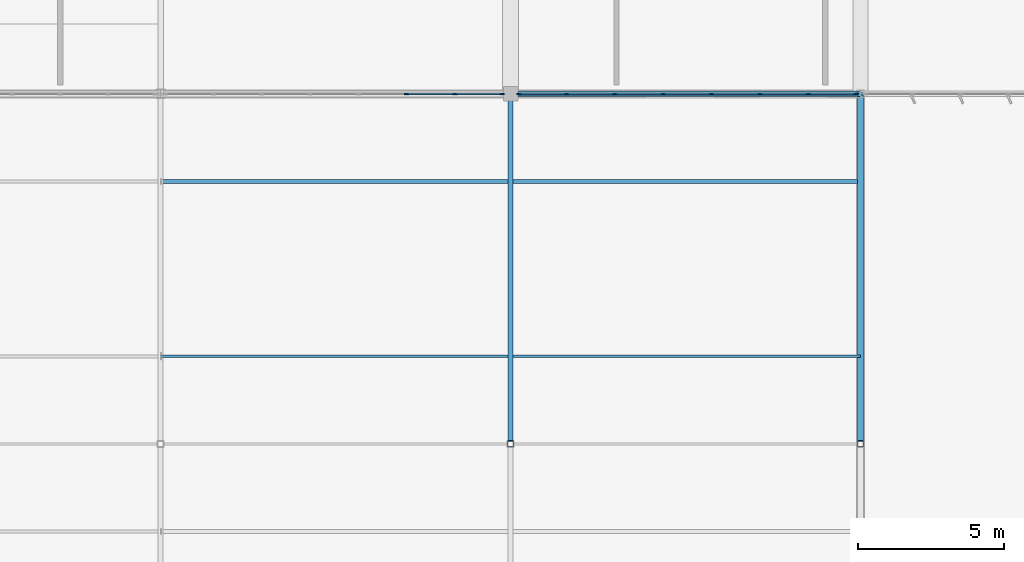
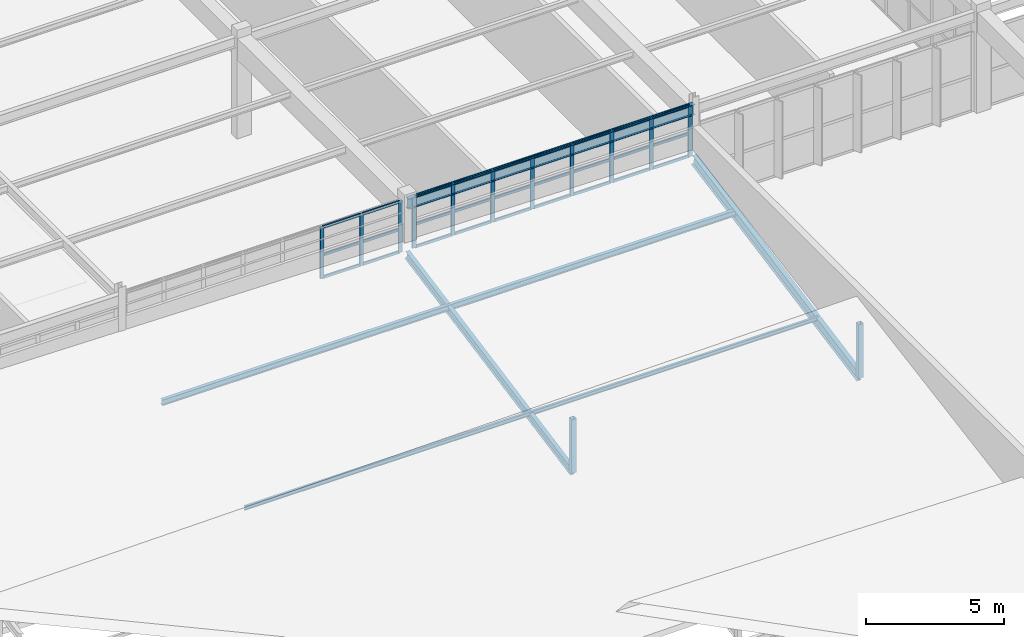
# One storey, part 74 of 226: 44 members, 1 beam, 2 elements without a shape of their own.
"""IFC4 building model written with IfcOpenShell, lengths in metres."""

from ifc_helpers import new_model, si_unit, direction, frame, origin, origin_2d, place, context, subcontext, project, spatial, rectangle, hollow_rectangle, i_section, extrude, material, layer, layer_set, material_profile, profile_set, type_object, element, aggregate, save


model = new_model("IFC4")

# Units and contexts
model_context = context("Model", 3, precision=1e-05, world=origin(), true_north=direction((0.0, 1.0)))
body_context = subcontext(model_context, "Body", "Model", "MODEL_VIEW")
ifc_project = project(units=[si_unit("LENGTHUNIT", "METRE"), si_unit("AREAUNIT", "SQUARE_METRE"), si_unit("VOLUMEUNIT", "CUBIC_METRE"), si_unit("PLANEANGLEUNIT", "RADIAN"), si_unit("MASSUNIT", "GRAM", prefix="KILO")], contexts=[model_context])

# Site, building, storey
site_placement = place(None, origin())
site = spatial("IfcSite", under=ifc_project, at=site_placement, CompositionType="ELEMENT")
building_placement = place(site_placement, origin())
building = spatial("IfcBuilding", under=site, at=building_placement, Name="Tarnwether General Hospital", CompositionType="ELEMENT")
storey_placement = place(building_placement, frame((0.0, 0.0, 4.800048828125)))
storey = spatial("IfcBuildingStorey", under=building, at=storey_placement, Name="L01", CompositionType="ELEMENT", Elevation=4.800048828125)

# Beam
ifc_material_1 = material(Name="Steel Grade 350 (350 MPa)", Category="steel")
ifc_material_profile_1 = material_profile(ifc_material_1, i_section(OverallWidth=0.19091796875, OverallDepth=0.4599609375, WebThickness=0.010009765625, FlangeThickness=0.01611328125, at=origin_2d()), Name="460UB82.1")
ifc_profile_set_1 = profile_set([ifc_material_profile_1], Name="Steel Grade 350 (350 MPa)")
beam_type = type_object("IfcBeamType", Name="BM-G08", PredefinedType="BEAM", material=ifc_profile_set_1)
beam_placement = place(storey_placement, frame((36.0, 45.60009765625, 4.2099609375), z_axis=(1.0, 0.0, 0.0), x_axis=(0.0, 1.0, 0.0)))
element("IfcBeam", 1, at=beam_placement, inside=storey, type_object=beam_type, Name="Primary Girder BMG-L01-3600_4560-4800_4560-1090", PredefinedType="BEAM", context=body_context, shape_type="SweptSolid", body=[
    extrude(i_section(OverallWidth=0.19091796875, OverallDepth=0.4599609375, WebThickness=0.010009765625, FlangeThickness=0.01611328125, at=origin_2d()), origin(), (0.0, 0.0, 1.0), 12.0),
])

# Curtain wall, members
ifc_material_2 = material(Name="Anodised aluminium", Category="aluminium")
ifc_layer = layer(ifc_material_2, 0.159912109375)
ifc_layer_set = layer_set([ifc_layer], Name="Anodised aluminium")
curtain_wall_type = type_object("IfcCurtainWallType", Name="CW-24", PredefinedType="NOTDEFINED", material=ifc_layer_set)
curtain_wall_1_placement = place(storey_placement, origin())
curtain_wall_1 = element("IfcCurtainWall", 2, at=curtain_wall_1_placement, inside=storey, type_object=curtain_wall_type, Name="Curtain Wall CWG-L01-479_456-0348", PredefinedType="NOTDEFINED")
ifc_material_3 = material(Name="Anodised aluminium", Category="aluminium")
ifc_material_profile_2 = material_profile(ifc_material_3, rectangle(XDim=0.06005859375, YDim=0.159912109375, at=origin_2d()), Name="ALU-MUL-60x160")
ifc_profile_set_2 = profile_set([ifc_material_profile_2], Name="Anodised aluminium")
member_type_1 = type_object("IfcMemberType", Name="CW-ML1", PredefinedType="MULLION", material=ifc_profile_set_2)
member_1_placement = place(storey_placement, frame((47.833984375, 45.60009765625, 2.14990234375), z_axis=(0.0, 0.0, 1.0), x_axis=(0.0, -1.0, 0.0)))
member_1 = element("IfcMember", 3, at=member_1_placement, type_object=member_type_1, Name="CW-24 mullion 1", PredefinedType="MULLION", context=body_context, shape_type="SweptSolid", body=[
    extrude(rectangle(XDim=0.06005859375, YDim=0.159912109375, at=origin_2d()), origin(), (0.0, 0.0, 1.0), 2.280029296875),
])
member_2_placement = place(storey_placement, frame((46.2060546875, 45.60009765625, 2.14990234375), z_axis=(0.0, 0.0, 1.0), x_axis=(0.0, -1.0, 0.0)))
member_2 = element("IfcMember", 4, at=member_2_placement, type_object=member_type_1, Name="CW-24 mullion 2", PredefinedType="MULLION", context=body_context, shape_type="SweptSolid", body=[
    extrude(rectangle(XDim=0.06005859375, YDim=0.159912109375, at=origin_2d()), origin(), (0.0, 0.0, 1.0), 2.280029296875),
])
member_3_placement = place(storey_placement, frame((44.548095703125, 45.60009765625, 2.14990234375), z_axis=(0.0, 0.0, 1.0), x_axis=(0.0, -1.0, 0.0)))
member_3 = element("IfcMember", 5, at=member_3_placement, type_object=member_type_1, Name="CW-24 mullion 3", PredefinedType="MULLION", context=body_context, shape_type="SweptSolid", body=[
    extrude(rectangle(XDim=0.06005859375, YDim=0.159912109375, at=origin_2d()), origin(), (0.0, 0.0, 1.0), 2.280029296875),
])
member_4_placement = place(storey_placement, frame((42.889892578125, 45.60009765625, 2.14990234375), z_axis=(0.0, 0.0, 1.0), x_axis=(0.0, -1.0, 0.0)))
member_4 = element("IfcMember", 6, at=member_4_placement, type_object=member_type_1, Name="CW-24 mullion 4", PredefinedType="MULLION", context=body_context, shape_type="SweptSolid", body=[
    extrude(rectangle(XDim=0.06005859375, YDim=0.159912109375, at=origin_2d()), origin(), (0.0, 0.0, 1.0), 2.280029296875),
])
member_5_placement = place(storey_placement, frame((41.23193359375, 45.60009765625, 2.14990234375), z_axis=(0.0, 0.0, 1.0), x_axis=(0.0, -1.0, 0.0)))
member_5 = element("IfcMember", 7, at=member_5_placement, type_object=member_type_1, Name="CW-24 mullion 5", PredefinedType="MULLION", context=body_context, shape_type="SweptSolid", body=[
    extrude(rectangle(XDim=0.06005859375, YDim=0.159912109375, at=origin_2d()), origin(), (0.0, 0.0, 1.0), 2.280029296875),
])
member_6_placement = place(storey_placement, frame((39.573974609375, 45.60009765625, 2.14990234375), z_axis=(0.0, 0.0, 1.0), x_axis=(0.0, -1.0, 0.0)))
member_6 = element("IfcMember", 8, at=member_6_placement, type_object=member_type_1, Name="CW-24 mullion 6", PredefinedType="MULLION", context=body_context, shape_type="SweptSolid", body=[
    extrude(rectangle(XDim=0.06005859375, YDim=0.159912109375, at=origin_2d()), origin(), (0.0, 0.0, 1.0), 2.280029296875),
])
member_7_placement = place(storey_placement, frame((37.916015625, 45.60009765625, 2.14990234375), z_axis=(0.0, 0.0, 1.0), x_axis=(0.0, -1.0, 0.0)))
member_7 = element("IfcMember", 9, at=member_7_placement, type_object=member_type_1, Name="CW-24 mullion 7", PredefinedType="MULLION", context=body_context, shape_type="SweptSolid", body=[
    extrude(rectangle(XDim=0.06005859375, YDim=0.159912109375, at=origin_2d()), origin(), (0.0, 0.0, 1.0), 2.280029296875),
])
member_8_placement = place(storey_placement, frame((36.2880859375, 45.60009765625, 2.14990234375), z_axis=(0.0, 0.0, 1.0), x_axis=(0.0, -1.0, 0.0)))
member_8 = element("IfcMember", 10, at=member_8_placement, type_object=member_type_1, Name="CW-24 mullion 8", PredefinedType="MULLION", context=body_context, shape_type="SweptSolid", body=[
    extrude(rectangle(XDim=0.06005859375, YDim=0.159912109375, at=origin_2d()), origin(), (0.0, 0.0, 1.0), 2.280029296875),
])

curtain_wall_2_placement = place(storey_placement, origin())
curtain_wall_2 = element("IfcCurtainWall", 11, at=curtain_wall_2_placement, inside=storey, type_object=curtain_wall_type, Name="Curtain Wall CWG-L01-357_456-0349", PredefinedType="NOTDEFINED")
member_9_placement = place(storey_placement, frame((35.7119140625, 45.60009765625, 2.14990234375), z_axis=(0.0, 0.0, 1.0), x_axis=(0.0, -1.0, 0.0)))
member_9 = element("IfcMember", 12, at=member_9_placement, type_object=member_type_1, Name="CW-24 mullion 1", PredefinedType="MULLION", context=body_context, shape_type="SweptSolid", body=[
    extrude(rectangle(XDim=0.06005859375, YDim=0.159912109375, at=origin_2d()), origin(), (0.0, 0.0, 1.0), 2.280029296875),
])
member_10_placement = place(storey_placement, frame((34.08740234375, 45.60009765625, 2.14990234375), z_axis=(0.0, 0.0, 1.0), x_axis=(0.0, -1.0, 0.0)))
member_10 = element("IfcMember", 13, at=member_10_placement, type_object=member_type_1, Name="CW-24 mullion 2", PredefinedType="MULLION", context=body_context, shape_type="SweptSolid", body=[
    extrude(rectangle(XDim=0.06005859375, YDim=0.159912109375, at=origin_2d()), origin(), (0.0, 0.0, 1.0), 2.280029296875),
])
member_11_placement = place(storey_placement, frame((32.432861328125, 45.60009765625, 2.14990234375), z_axis=(0.0, 0.0, 1.0), x_axis=(0.0, -1.0, 0.0)))
member_11 = element("IfcMember", 14, at=member_11_placement, type_object=member_type_1, Name="CW-24 mullion 3", PredefinedType="MULLION", context=body_context, shape_type="SweptSolid", body=[
    extrude(rectangle(XDim=0.06005859375, YDim=0.159912109375, at=origin_2d()), origin(), (0.0, 0.0, 1.0), 2.280029296875),
])

# Member
ifc_material_4 = material(Name="Anodised aluminium", Category="aluminium")
ifc_material_profile_3 = material_profile(ifc_material_4, rectangle(XDim=0.06005859375, YDim=0.1201171875, at=origin_2d()), Name="ALU-TRN-60x120")
ifc_profile_set_3 = profile_set([ifc_material_profile_3], Name="Anodised aluminium")
member_type_2 = type_object("IfcMemberType", Name="CW-TR1", PredefinedType="USERDEFINED", material=ifc_profile_set_3)
member_12_placement = place(storey_placement, frame((47.803955078125, 45.60009765625, 2.179931640625), z_axis=(-1.0, 0.0, 0.0), x_axis=(0.0, -1.0, 0.0)))
member_12 = element("IfcMember", 15, at=member_12_placement, type_object=member_type_2, Name="CW-24 transom 1.1", ObjectType="TRANSOM", PredefinedType="USERDEFINED", context=body_context, shape_type="SweptSolid", body=[
    extrude(rectangle(XDim=0.06005859375, YDim=0.1201171875, at=origin_2d()), origin(), (0.0, 0.0, 1.0), 1.56787109375),
])

member_13_placement = place(storey_placement, frame((47.803955078125, 45.60009765625, 3.176025390625), z_axis=(-1.0, 0.0, 0.0), x_axis=(0.0, -1.0, 0.0)))
member_13 = element("IfcMember", 16, at=member_13_placement, type_object=member_type_2, Name="CW-24 transom 1.2", ObjectType="TRANSOM", PredefinedType="USERDEFINED", context=body_context, shape_type="SweptSolid", body=[
    extrude(rectangle(XDim=0.06005859375, YDim=0.1201171875, at=origin_2d()), origin(), (0.0, 0.0, 1.0), 1.56787109375),
])

member_14_placement = place(storey_placement, frame((47.803955078125, 45.60009765625, 4.39990234375), z_axis=(-1.0, 0.0, 0.0), x_axis=(0.0, -1.0, 0.0)))
member_14 = element("IfcMember", 17, at=member_14_placement, type_object=member_type_2, Name="CW-24 transom 1.3", ObjectType="TRANSOM", PredefinedType="USERDEFINED", context=body_context, shape_type="SweptSolid", body=[
    extrude(rectangle(XDim=0.06005859375, YDim=0.1201171875, at=origin_2d()), origin(), (0.0, 0.0, 1.0), 1.56787109375),
])

member_15_placement = place(storey_placement, frame((46.176025390625, 45.60009765625, 2.179931640625), z_axis=(-1.0, 0.0, 0.0), x_axis=(0.0, -1.0, 0.0)))
member_15 = element("IfcMember", 18, at=member_15_placement, type_object=member_type_2, Name="CW-24 transom 2.1", ObjectType="TRANSOM", PredefinedType="USERDEFINED", context=body_context, shape_type="SweptSolid", body=[
    extrude(rectangle(XDim=0.06005859375, YDim=0.1201171875, at=origin_2d()), origin(), (0.0, 0.0, 1.0), 1.59814453125),
])

member_16_placement = place(storey_placement, frame((46.176025390625, 45.60009765625, 3.176025390625), z_axis=(-1.0, 0.0, 0.0), x_axis=(0.0, -1.0, 0.0)))
member_16 = element("IfcMember", 19, at=member_16_placement, type_object=member_type_2, Name="CW-24 transom 2.2", ObjectType="TRANSOM", PredefinedType="USERDEFINED", context=body_context, shape_type="SweptSolid", body=[
    extrude(rectangle(XDim=0.06005859375, YDim=0.1201171875, at=origin_2d()), origin(), (0.0, 0.0, 1.0), 1.59814453125),
])

member_17_placement = place(storey_placement, frame((46.176025390625, 45.60009765625, 4.39990234375), z_axis=(-1.0, 0.0, 0.0), x_axis=(0.0, -1.0, 0.0)))
member_17 = element("IfcMember", 20, at=member_17_placement, type_object=member_type_2, Name="CW-24 transom 2.3", ObjectType="TRANSOM", PredefinedType="USERDEFINED", context=body_context, shape_type="SweptSolid", body=[
    extrude(rectangle(XDim=0.06005859375, YDim=0.1201171875, at=origin_2d()), origin(), (0.0, 0.0, 1.0), 1.59814453125),
])

member_18_placement = place(storey_placement, frame((44.51806640625, 45.60009765625, 2.179931640625), z_axis=(-1.0, 0.0, 0.0), x_axis=(0.0, -1.0, 0.0)))
member_18 = element("IfcMember", 21, at=member_18_placement, type_object=member_type_2, Name="CW-24 transom 3.1", ObjectType="TRANSOM", PredefinedType="USERDEFINED", context=body_context, shape_type="SweptSolid", body=[
    extrude(rectangle(XDim=0.06005859375, YDim=0.1201171875, at=origin_2d()), origin(), (0.0, 0.0, 1.0), 1.59814453125),
])

member_19_placement = place(storey_placement, frame((44.51806640625, 45.60009765625, 3.176025390625), z_axis=(-1.0, 0.0, 0.0), x_axis=(0.0, -1.0, 0.0)))
member_19 = element("IfcMember", 22, at=member_19_placement, type_object=member_type_2, Name="CW-24 transom 3.2", ObjectType="TRANSOM", PredefinedType="USERDEFINED", context=body_context, shape_type="SweptSolid", body=[
    extrude(rectangle(XDim=0.06005859375, YDim=0.1201171875, at=origin_2d()), origin(), (0.0, 0.0, 1.0), 1.59814453125),
])

member_20_placement = place(storey_placement, frame((44.51806640625, 45.60009765625, 4.39990234375), z_axis=(-1.0, 0.0, 0.0), x_axis=(0.0, -1.0, 0.0)))
member_20 = element("IfcMember", 23, at=member_20_placement, type_object=member_type_2, Name="CW-24 transom 3.3", ObjectType="TRANSOM", PredefinedType="USERDEFINED", context=body_context, shape_type="SweptSolid", body=[
    extrude(rectangle(XDim=0.06005859375, YDim=0.1201171875, at=origin_2d()), origin(), (0.0, 0.0, 1.0), 1.59814453125),
])

member_21_placement = place(storey_placement, frame((42.860107421875, 45.60009765625, 2.179931640625), z_axis=(-1.0, 0.0, 0.0), x_axis=(0.0, -1.0, 0.0)))
member_21 = element("IfcMember", 24, at=member_21_placement, type_object=member_type_2, Name="CW-24 transom 4.1", ObjectType="TRANSOM", PredefinedType="USERDEFINED", context=body_context, shape_type="SweptSolid", body=[
    extrude(rectangle(XDim=0.06005859375, YDim=0.1201171875, at=origin_2d()), origin(), (0.0, 0.0, 1.0), 1.59814453125),
])

member_22_placement = place(storey_placement, frame((42.860107421875, 45.60009765625, 3.176025390625), z_axis=(-1.0, 0.0, 0.0), x_axis=(0.0, -1.0, 0.0)))
member_22 = element("IfcMember", 25, at=member_22_placement, type_object=member_type_2, Name="CW-24 transom 4.2", ObjectType="TRANSOM", PredefinedType="USERDEFINED", context=body_context, shape_type="SweptSolid", body=[
    extrude(rectangle(XDim=0.06005859375, YDim=0.1201171875, at=origin_2d()), origin(), (0.0, 0.0, 1.0), 1.59814453125),
])

member_23_placement = place(storey_placement, frame((42.860107421875, 45.60009765625, 4.39990234375), z_axis=(-1.0, 0.0, 0.0), x_axis=(0.0, -1.0, 0.0)))
member_23 = element("IfcMember", 26, at=member_23_placement, type_object=member_type_2, Name="CW-24 transom 4.3", ObjectType="TRANSOM", PredefinedType="USERDEFINED", context=body_context, shape_type="SweptSolid", body=[
    extrude(rectangle(XDim=0.06005859375, YDim=0.1201171875, at=origin_2d()), origin(), (0.0, 0.0, 1.0), 1.59814453125),
])

member_24_placement = place(storey_placement, frame((41.201904296875, 45.60009765625, 2.179931640625), z_axis=(-1.0, 0.0, 0.0), x_axis=(0.0, -1.0, 0.0)))
member_24 = element("IfcMember", 27, at=member_24_placement, type_object=member_type_2, Name="CW-24 transom 5.1", ObjectType="TRANSOM", PredefinedType="USERDEFINED", context=body_context, shape_type="SweptSolid", body=[
    extrude(rectangle(XDim=0.06005859375, YDim=0.1201171875, at=origin_2d()), origin(), (0.0, 0.0, 1.0), 1.597900390625),
])

member_25_placement = place(storey_placement, frame((41.201904296875, 45.60009765625, 3.176025390625), z_axis=(-1.0, 0.0, 0.0), x_axis=(0.0, -1.0, 0.0)))
member_25 = element("IfcMember", 28, at=member_25_placement, type_object=member_type_2, Name="CW-24 transom 5.2", ObjectType="TRANSOM", PredefinedType="USERDEFINED", context=body_context, shape_type="SweptSolid", body=[
    extrude(rectangle(XDim=0.06005859375, YDim=0.1201171875, at=origin_2d()), origin(), (0.0, 0.0, 1.0), 1.597900390625),
])

member_26_placement = place(storey_placement, frame((41.201904296875, 45.60009765625, 4.39990234375), z_axis=(-1.0, 0.0, 0.0), x_axis=(0.0, -1.0, 0.0)))
member_26 = element("IfcMember", 29, at=member_26_placement, type_object=member_type_2, Name="CW-24 transom 5.3", ObjectType="TRANSOM", PredefinedType="USERDEFINED", context=body_context, shape_type="SweptSolid", body=[
    extrude(rectangle(XDim=0.06005859375, YDim=0.1201171875, at=origin_2d()), origin(), (0.0, 0.0, 1.0), 1.597900390625),
])

member_27_placement = place(storey_placement, frame((39.5439453125, 45.60009765625, 2.179931640625), z_axis=(-1.0, 0.0, 0.0), x_axis=(0.0, -1.0, 0.0)))
member_27 = element("IfcMember", 30, at=member_27_placement, type_object=member_type_2, Name="CW-24 transom 6.1", ObjectType="TRANSOM", PredefinedType="USERDEFINED", context=body_context, shape_type="SweptSolid", body=[
    extrude(rectangle(XDim=0.06005859375, YDim=0.1201171875, at=origin_2d()), origin(), (0.0, 0.0, 1.0), 1.597900390625),
])

member_28_placement = place(storey_placement, frame((39.5439453125, 45.60009765625, 3.176025390625), z_axis=(-1.0, 0.0, 0.0), x_axis=(0.0, -1.0, 0.0)))
member_28 = element("IfcMember", 31, at=member_28_placement, type_object=member_type_2, Name="CW-24 transom 6.2", ObjectType="TRANSOM", PredefinedType="USERDEFINED", context=body_context, shape_type="SweptSolid", body=[
    extrude(rectangle(XDim=0.06005859375, YDim=0.1201171875, at=origin_2d()), origin(), (0.0, 0.0, 1.0), 1.597900390625),
])

member_29_placement = place(storey_placement, frame((39.5439453125, 45.60009765625, 4.39990234375), z_axis=(-1.0, 0.0, 0.0), x_axis=(0.0, -1.0, 0.0)))
member_29 = element("IfcMember", 32, at=member_29_placement, type_object=member_type_2, Name="CW-24 transom 6.3", ObjectType="TRANSOM", PredefinedType="USERDEFINED", context=body_context, shape_type="SweptSolid", body=[
    extrude(rectangle(XDim=0.06005859375, YDim=0.1201171875, at=origin_2d()), origin(), (0.0, 0.0, 1.0), 1.597900390625),
])

member_30_placement = place(storey_placement, frame((37.885986328125, 45.60009765625, 2.179931640625), z_axis=(-1.0, 0.0, 0.0), x_axis=(0.0, -1.0, 0.0)))
member_30 = element("IfcMember", 33, at=member_30_placement, type_object=member_type_2, Name="CW-24 transom 7.1", ObjectType="TRANSOM", PredefinedType="USERDEFINED", context=body_context, shape_type="SweptSolid", body=[
    extrude(rectangle(XDim=0.06005859375, YDim=0.1201171875, at=origin_2d()), origin(), (0.0, 0.0, 1.0), 1.56787109375),
])

member_31_placement = place(storey_placement, frame((37.885986328125, 45.60009765625, 3.176025390625), z_axis=(-1.0, 0.0, 0.0), x_axis=(0.0, -1.0, 0.0)))
member_31 = element("IfcMember", 34, at=member_31_placement, type_object=member_type_2, Name="CW-24 transom 7.2", ObjectType="TRANSOM", PredefinedType="USERDEFINED", context=body_context, shape_type="SweptSolid", body=[
    extrude(rectangle(XDim=0.06005859375, YDim=0.1201171875, at=origin_2d()), origin(), (0.0, 0.0, 1.0), 1.56787109375),
])

member_32_placement = place(storey_placement, frame((37.885986328125, 45.60009765625, 4.39990234375), z_axis=(-1.0, 0.0, 0.0), x_axis=(0.0, -1.0, 0.0)))
member_32 = element("IfcMember", 35, at=member_32_placement, type_object=member_type_2, Name="CW-24 transom 7.3", ObjectType="TRANSOM", PredefinedType="USERDEFINED", context=body_context, shape_type="SweptSolid", body=[
    extrude(rectangle(XDim=0.06005859375, YDim=0.1201171875, at=origin_2d()), origin(), (0.0, 0.0, 1.0), 1.56787109375),
])

aggregate(curtain_wall_1, [member_1, member_2, member_3, member_4, member_5, member_6, member_7, member_8, member_12, member_13, member_14, member_15, member_16, member_17, member_18, member_19, member_20, member_21, member_22, member_23, member_24, member_25, member_26, member_27, member_28, member_29, member_30, member_31, member_32])

member_33_placement = place(storey_placement, frame((35.681884765625, 45.60009765625, 2.179931640625), z_axis=(-1.0, 0.0, 0.0), x_axis=(0.0, -1.0, 0.0)))
member_33 = element("IfcMember", 36, at=member_33_placement, type_object=member_type_2, Name="CW-24 transom 1.1", ObjectType="TRANSOM", PredefinedType="USERDEFINED", context=body_context, shape_type="SweptSolid", body=[
    extrude(rectangle(XDim=0.06005859375, YDim=0.1201171875, at=origin_2d()), origin(), (0.0, 0.0, 1.0), 1.564453125),
])

member_34_placement = place(storey_placement, frame((35.681884765625, 45.60009765625, 3.176025390625), z_axis=(-1.0, 0.0, 0.0), x_axis=(0.0, -1.0, 0.0)))
member_34 = element("IfcMember", 37, at=member_34_placement, type_object=member_type_2, Name="CW-24 transom 1.2", ObjectType="TRANSOM", PredefinedType="USERDEFINED", context=body_context, shape_type="SweptSolid", body=[
    extrude(rectangle(XDim=0.06005859375, YDim=0.1201171875, at=origin_2d()), origin(), (0.0, 0.0, 1.0), 1.564453125),
])

member_35_placement = place(storey_placement, frame((35.681884765625, 45.60009765625, 4.39990234375), z_axis=(-1.0, 0.0, 0.0), x_axis=(0.0, -1.0, 0.0)))
member_35 = element("IfcMember", 38, at=member_35_placement, type_object=member_type_2, Name="CW-24 transom 1.3", ObjectType="TRANSOM", PredefinedType="USERDEFINED", context=body_context, shape_type="SweptSolid", body=[
    extrude(rectangle(XDim=0.06005859375, YDim=0.1201171875, at=origin_2d()), origin(), (0.0, 0.0, 1.0), 1.564453125),
])

member_36_placement = place(storey_placement, frame((34.057373046875, 45.60009765625, 2.179931640625), z_axis=(-1.0, 0.0, 0.0), x_axis=(0.0, -1.0, 0.0)))
member_36 = element("IfcMember", 39, at=member_36_placement, type_object=member_type_2, Name="CW-24 transom 2.1", ObjectType="TRANSOM", PredefinedType="USERDEFINED", context=body_context, shape_type="SweptSolid", body=[
    extrude(rectangle(XDim=0.06005859375, YDim=0.1201171875, at=origin_2d()), origin(), (0.0, 0.0, 1.0), 1.594482421875),
])

member_37_placement = place(storey_placement, frame((34.057373046875, 45.60009765625, 3.176025390625), z_axis=(-1.0, 0.0, 0.0), x_axis=(0.0, -1.0, 0.0)))
member_37 = element("IfcMember", 40, at=member_37_placement, type_object=member_type_2, Name="CW-24 transom 2.2", ObjectType="TRANSOM", PredefinedType="USERDEFINED", context=body_context, shape_type="SweptSolid", body=[
    extrude(rectangle(XDim=0.06005859375, YDim=0.1201171875, at=origin_2d()), origin(), (0.0, 0.0, 1.0), 1.594482421875),
])

member_38_placement = place(storey_placement, frame((34.057373046875, 45.60009765625, 4.39990234375), z_axis=(-1.0, 0.0, 0.0), x_axis=(0.0, -1.0, 0.0)))
member_38 = element("IfcMember", 41, at=member_38_placement, type_object=member_type_2, Name="CW-24 transom 2.3", ObjectType="TRANSOM", PredefinedType="USERDEFINED", context=body_context, shape_type="SweptSolid", body=[
    extrude(rectangle(XDim=0.06005859375, YDim=0.1201171875, at=origin_2d()), origin(), (0.0, 0.0, 1.0), 1.594482421875),
])

aggregate(curtain_wall_2, [member_9, member_10, member_11, member_33, member_34, member_35, member_36, member_37, member_38])

# Members
ifc_material_5 = material(Name="Steel Grade C350L0 (350 MPa)", Category="steel")
ifc_material_profile_4 = material_profile(ifc_material_5, hollow_rectangle(XDim=0.199951171875, YDim=0.199951171875, WallThickness=0.010009765625, at=origin_2d()), Name="SHS200x200x10")
ifc_profile_set_4 = profile_set([ifc_material_profile_4], Name="Steel Grade C350L0 (350 MPa)")
member_type_3 = type_object("IfcMemberType", Name="MB-BR8", PredefinedType="BRACE", material=ifc_profile_set_4)
for number, where, z_axis, x_axis, name in (
    (42, (36.0, 33.60009765625, -0.380126953125), (0.0, 0.0, 1.0), (1.0, 0.0, 0.0), "Emergency Sawtooth Web Strut 048"),
    (43, (48.0, 33.60009765625, -0.380126953125), (0.0, 0.0, 1.0), (1.0, 0.0, 0.0), "Emergency Sawtooth Web Strut 049"),
):
    element("IfcMember", number, at=place(storey_placement, frame(where, z_axis=z_axis, x_axis=x_axis)), inside=storey, type_object=member_type_3, Name=name, PredefinedType="BRACE", context=body_context, shape_type="SweptSolid", body=[
        extrude(hollow_rectangle(XDim=0.199951171875, YDim=0.199951171875, WallThickness=0.010009765625, at=origin_2d()), origin(), (0.0, 0.0, 1.0), 2.380126953125),
    ])
ifc_material_6 = material(Name="Steel Grade 350 (350 MPa)", Category="steel")
ifc_material_profile_5 = material_profile(ifc_material_6, i_section(OverallWidth=0.14599609375, OverallDepth=0.256103515625, WebThickness=0.00634765625, FlangeThickness=0.010986328125, at=origin_2d()), Name="250UB37.3")
ifc_profile_set_5 = profile_set([ifc_material_profile_5], Name="Steel Grade 350 (350 MPa)")
member_type_4 = type_object("IfcMemberType", Name="MB-PR1", PredefinedType="PURLIN", material=ifc_profile_set_5)
member_39_placement = place(storey_placement, frame((24.0, 42.60009765625, 1.43994140625), z_axis=(1.0, 0.0, 0.0), x_axis=(0.0, 1.0, 0.0)))
element("IfcMember", 44, at=member_39_placement, inside=storey, type_object=member_type_4, Name="Emergency Sawtooth Purlin 062", PredefinedType="PURLIN", context=body_context, shape_type="SweptSolid", body=[
    extrude(i_section(OverallWidth=0.14599609375, OverallDepth=0.256103515625, WebThickness=0.00634765625, FlangeThickness=0.010986328125, at=origin_2d()), origin(), (0.0, 0.0, 1.0), 24.0),
])
ifc_material_7 = material(Name="Steel Grade 350 (350 MPa)", Category="steel")
ifc_material_profile_6 = material_profile(ifc_material_7, i_section(OverallWidth=0.090087890625, OverallDepth=0.178955078125, WebThickness=0.006103515625, FlangeThickness=0.010986328125, at=origin_2d()), Name="180UB22.2")
ifc_profile_set_6 = profile_set([ifc_material_profile_6], Name="Steel Grade 350 (350 MPa)")
member_type_5 = type_object("IfcMemberType", Name="MB-PR4", PredefinedType="PURLIN", material=ifc_profile_set_6)
member_40_placement = place(storey_placement, frame((24.0, 36.60009765625, 0.39990234375), z_axis=(1.0, 0.0, 0.0), x_axis=(0.0, 1.0, 0.0)))
element("IfcMember", 45, at=member_40_placement, inside=storey, type_object=member_type_5, Name="Emergency Sawtooth Purlin 060", PredefinedType="PURLIN", context=body_context, shape_type="SweptSolid", body=[
    extrude(i_section(OverallWidth=0.090087890625, OverallDepth=0.178955078125, WebThickness=0.006103515625, FlangeThickness=0.010986328125, at=origin_2d()), origin(), (0.0, 0.0, 1.0), 24.0),
])
ifc_material_8 = material(Name="Steel Grade 350 (350 MPa)", Category="steel")
ifc_material_profile_7 = material_profile(ifc_material_8, i_section(OverallWidth=0.18994140625, OverallDepth=0.4541015625, WebThickness=0.008544921875, FlangeThickness=0.0126953125, at=origin_2d()), Name="460UB67.1")
ifc_profile_set_7 = profile_set([ifc_material_profile_7], Name="Steel Grade 350 (350 MPa)")
member_type_6 = type_object("IfcMemberType", Name="MB-RF3", PredefinedType="RAFTER", material=ifc_profile_set_7)
member_41_placement = place(storey_placement, frame((48.0, 33.60009765625, -0.360107421875), z_axis=(0.0, 0.981818178063, 0.189823774132), x_axis=(-1.0, 0.0, 0.0)))
element("IfcMember", 46, at=member_41_placement, inside=storey, type_object=member_type_6, Name="Emergency Sawtooth Rafter 058", PredefinedType="RAFTER", context=body_context, shape_type="SweptSolid", body=[
    extrude(i_section(OverallWidth=0.18994140625, OverallDepth=0.4541015625, WebThickness=0.008544921875, FlangeThickness=0.0126953125, at=origin_2d()), origin(), (0.0, 0.0, 1.0), 12.22216796875),
])
ifc_material_9 = material(Name="Steel Grade 350 (350 MPa)", Category="steel")
ifc_material_profile_8 = material_profile(ifc_material_9, i_section(OverallWidth=0.1708984375, OverallDepth=0.35595703125, WebThickness=0.00732421875, FlangeThickness=0.011474609375, at=origin_2d()), Name="360UB50.7")
ifc_profile_set_8 = profile_set([ifc_material_profile_8], Name="Steel Grade 350 (350 MPa)")
member_type_7 = type_object("IfcMemberType", Name="MB-RF4", PredefinedType="RAFTER", material=ifc_profile_set_8)
member_42_placement = place(storey_placement, frame((36.0, 33.60009765625, -0.360107421875), z_axis=(0.0, 0.981818178063, 0.189823774132), x_axis=(-1.0, 0.0, 0.0)))
element("IfcMember", 47, at=member_42_placement, inside=storey, type_object=member_type_7, Name="Emergency Sawtooth Rafter 057", PredefinedType="RAFTER", context=body_context, shape_type="SweptSolid", body=[
    extrude(i_section(OverallWidth=0.1708984375, OverallDepth=0.35595703125, WebThickness=0.00732421875, FlangeThickness=0.011474609375, at=origin_2d()), origin(), (0.0, 0.0, 1.0), 12.22216796875),
])

save(model, "model.ifc")
